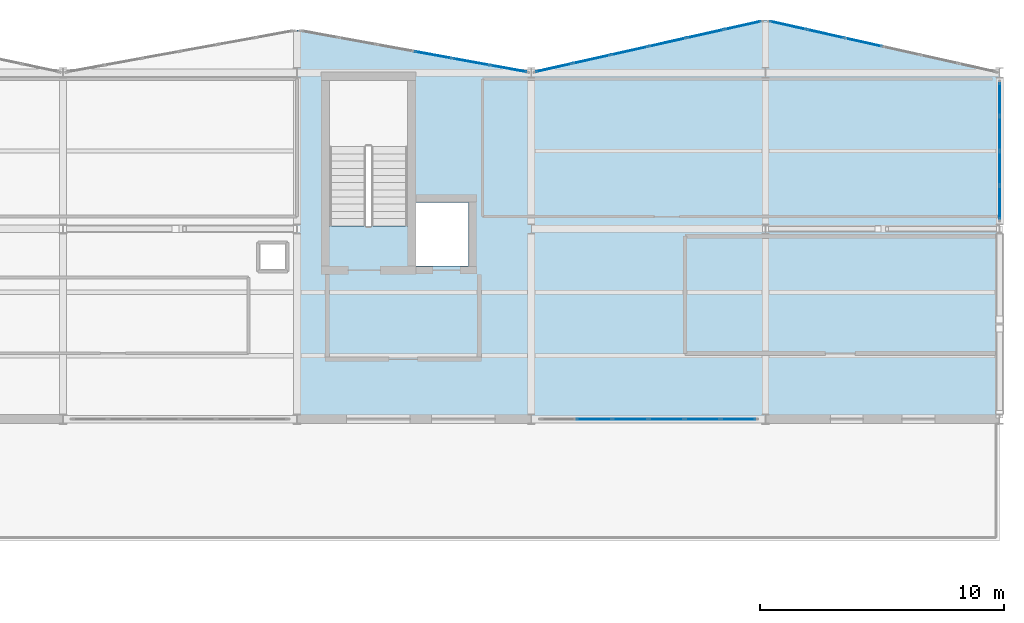
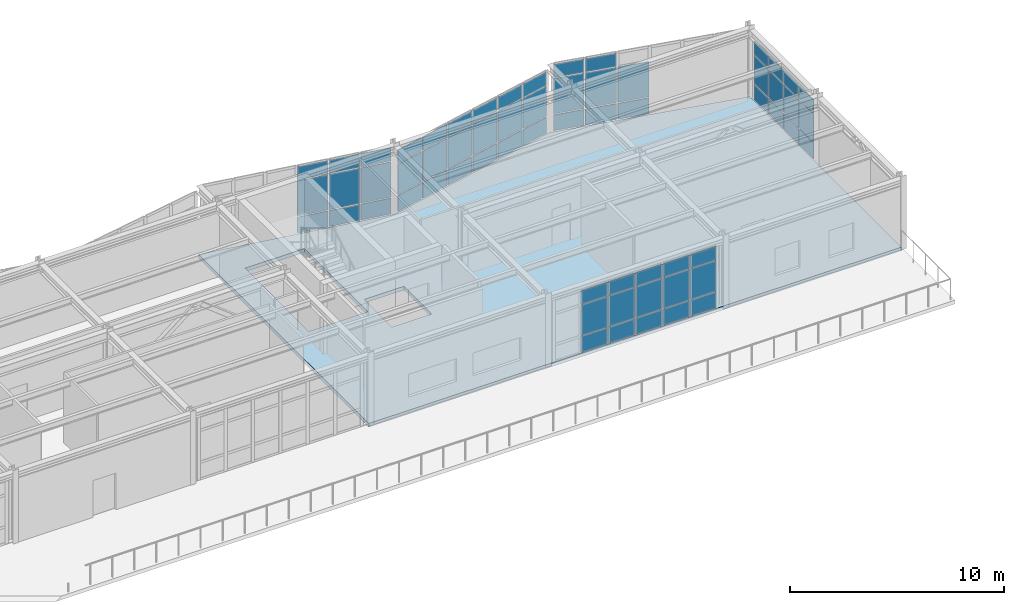
# One storey, part 36 of 47: 62 plates, 1 slab, 5 elements without a shape of their own.
"""IFC4 building model written with IfcOpenShell, lengths in metres."""

from ifc_helpers import new_model, si_unit, direction, frame, origin, origin_2d, place, context, subcontext, project, spatial, polyline, rectangle, outline, extrude, material, layer, layer_set, type_object, element, aggregate, save


model = new_model("IFC4")

# Units and contexts
model_context = context("Model", 3, precision=1e-05, world=origin(), true_north=direction((0.0, 1.0)))
body_context = subcontext(model_context, "Body", "Model", "MODEL_VIEW")
ifc_project = project(units=[si_unit("LENGTHUNIT", "METRE"), si_unit("AREAUNIT", "SQUARE_METRE"), si_unit("VOLUMEUNIT", "CUBIC_METRE"), si_unit("PLANEANGLEUNIT", "RADIAN"), si_unit("MASSUNIT", "GRAM", prefix="KILO")], contexts=[model_context])

# Site, building, storey
site_placement = place(None, origin())
site = spatial("IfcSite", under=ifc_project, at=site_placement, CompositionType="ELEMENT")
building_placement = place(site_placement, origin())
building = spatial("IfcBuilding", under=site, at=building_placement, Name="Nordkorset Police Headquarters", CompositionType="ELEMENT")
storey_placement = place(building_placement, frame((0.0, 0.0, 22.050048828125)))
storey = spatial("IfcBuildingStorey", under=building, at=storey_placement, Name="L05", CompositionType="ELEMENT", Elevation=22.050048828125)

# Curtain wall, plates
ifc_material_1 = material(Name="Aluminium alloy AW-6060", Category="aluminium")
ifc_layer_1 = layer(ifc_material_1, 0.179931640625, Name="Aluminium alloy AW-6060")
ifc_layer_set_1 = layer_set([ifc_layer_1], Name="Aluminium alloy AW-6060")
curtain_wall_type_1 = type_object("IfcCurtainWallType", Name="CW_Unit_948x392", PredefinedType="USERDEFINED", material=ifc_layer_set_1)
curtain_wall_1_placement = place(storey_placement, origin())
curtain_wall_1 = element("IfcCurtainWall", 1, at=curtain_wall_1_placement, inside=storey, type_object=curtain_wall_type_1, Name="Unitised Curtain Wall L05 V2N-3", ObjectType="UNITISED CURTAIN WALL", PredefinedType="USERDEFINED")
ifc_material_2 = material(Name="Low-iron triple glazing", Category="glass")
ifc_layer_2 = layer(ifc_material_2, 0.035888671875, Name="Low-iron triple glazing")
ifc_layer_set_2 = layer_set([ifc_layer_2], Name="Low-iron triple glazing")
plate_type = type_object("IfcPlateType", Name="CW_Panel_TripleGlazing_36", PredefinedType="CURTAIN_PANEL", material=ifc_layer_set_2)
plate_1_placement = place(storey_placement, frame((63.177001953125, 117.533447265625, 0.06494140625), z_axis=(0.0, 0.0, 1.0), x_axis=(0.983787934979, -0.179335715876, 0.0)))
plate_1 = element("IfcPlate", 2, at=plate_1_placement, type_object=plate_type, Name="CW-65 panel 4.1", PredefinedType="CURTAIN_PANEL", context=body_context, shape_type="SweptSolid", body=[
    extrude(rectangle(XDim=1.5146484375, YDim=0.035888671875, at=origin_2d()), origin(), (0.0, 0.0, 1.0), 0.902587890625),
])
plate_2_placement = place(storey_placement, frame((63.177001953125, 117.533447265625, 1.032470703125), z_axis=(0.0, 0.0, 1.0), x_axis=(0.983787934979, -0.179335715876, 0.0)))
plate_2 = element("IfcPlate", 3, at=plate_2_placement, type_object=plate_type, Name="CW-65 panel 4.2", PredefinedType="CURTAIN_PANEL", context=body_context, shape_type="SweptSolid", body=[
    extrude(rectangle(XDim=1.5146484375, YDim=0.035888671875, at=origin_2d()), origin(), (0.0, 0.0, 1.0), 2.0048828125),
])
plate_3_placement = place(storey_placement, frame((63.177001953125, 117.533447265625, 3.1025390625), z_axis=(0.0, 0.0, 1.0), x_axis=(0.983787934979, -0.179335715876, 0.0)))
plate_3 = element("IfcPlate", 4, at=plate_3_placement, type_object=plate_type, Name="CW-65 panel 4.3", PredefinedType="CURTAIN_PANEL", context=body_context, shape_type="SweptSolid", body=[
    extrude(rectangle(XDim=1.5146484375, YDim=0.035888671875, at=origin_2d()), origin(), (0.0, 0.0, 1.0), 0.75244140625),
])
plate_4_placement = place(storey_placement, frame((64.731201171875, 117.25, 0.06494140625), z_axis=(0.0, 0.0, 1.0), x_axis=(0.983787934979, -0.179335715876, 0.0)))
plate_4 = element("IfcPlate", 5, at=plate_4_placement, type_object=plate_type, Name="CW-65 panel 5.1", PredefinedType="CURTAIN_PANEL", context=body_context, shape_type="SweptSolid", body=[
    extrude(rectangle(XDim=1.5146484375, YDim=0.035888671875, at=origin_2d()), origin(), (0.0, 0.0, 1.0), 0.902587890625),
])
plate_5_placement = place(storey_placement, frame((64.731201171875, 117.25, 1.032470703125), z_axis=(0.0, 0.0, 1.0), x_axis=(0.983787934979, -0.179335715876, 0.0)))
plate_5 = element("IfcPlate", 6, at=plate_5_placement, type_object=plate_type, Name="CW-65 panel 5.2", PredefinedType="CURTAIN_PANEL", context=body_context, shape_type="SweptSolid", body=[
    extrude(rectangle(XDim=1.5146484375, YDim=0.035888671875, at=origin_2d()), origin(), (0.0, 0.0, 1.0), 2.0048828125),
])
plate_6_placement = place(storey_placement, frame((64.731201171875, 117.25, 3.1025390625), z_axis=(0.0, 0.0, 1.0), x_axis=(0.983787934979, -0.179335715876, 0.0)))
plate_6 = element("IfcPlate", 7, at=plate_6_placement, type_object=plate_type, Name="CW-65 panel 5.3", PredefinedType="CURTAIN_PANEL", context=body_context, shape_type="SweptSolid", body=[
    extrude(rectangle(XDim=1.5146484375, YDim=0.035888671875, at=origin_2d()), origin(), (0.0, 0.0, 1.0), 0.75244140625),
])
plate_7_placement = place(storey_placement, frame((66.269287109375, 116.9697265625, 0.06494140625), z_axis=(0.0, 0.0, 1.0), x_axis=(0.983787934979, -0.179335715876, 0.0)))
plate_7 = element("IfcPlate", 8, at=plate_7_placement, type_object=plate_type, Name="CW-65 panel 6.1", PredefinedType="CURTAIN_PANEL", context=body_context, shape_type="SweptSolid", body=[
    extrude(rectangle(XDim=1.482177734375, YDim=0.035888671875, at=origin_2d()), origin(), (0.0, 0.0, 1.0), 0.902587890625),
])
plate_8_placement = place(storey_placement, frame((66.269287109375, 116.9697265625, 1.032470703125), z_axis=(0.0, 0.0, 1.0), x_axis=(0.983787934979, -0.179335715876, 0.0)))
plate_8 = element("IfcPlate", 9, at=plate_8_placement, type_object=plate_type, Name="CW-65 panel 6.2", PredefinedType="CURTAIN_PANEL", context=body_context, shape_type="SweptSolid", body=[
    extrude(rectangle(XDim=1.482177734375, YDim=0.035888671875, at=origin_2d()), origin(), (0.0, 0.0, 1.0), 2.0048828125),
])
plate_9_placement = place(storey_placement, frame((66.269287109375, 116.9697265625, 3.1025390625), z_axis=(0.0, 0.0, 1.0), x_axis=(0.983787934979, -0.179335715876, 0.0)))
plate_9 = element("IfcPlate", 10, at=plate_9_placement, type_object=plate_type, Name="CW-65 panel 6.3", PredefinedType="CURTAIN_PANEL", context=body_context, shape_type="SweptSolid", body=[
    extrude(rectangle(XDim=1.482177734375, YDim=0.035888671875, at=origin_2d()), origin(), (0.0, 0.0, 1.0), 0.75244140625),
])
aggregate(curtain_wall_1, [plate_1, plate_2, plate_3, plate_4, plate_5, plate_6, plate_7, plate_8, plate_9])

ifc_material_3 = material(Name="Aluminium alloy AW-6060", Category="aluminium")
ifc_layer_3 = layer(ifc_material_3, 0.179931640625, Name="Aluminium alloy AW-6060")
ifc_layer_set_3 = layer_set([ifc_layer_3], Name="Aluminium alloy AW-6060")
curtain_wall_type_2 = type_object("IfcCurtainWallType", Name="CW_Unit_956x364", PredefinedType="USERDEFINED", material=ifc_layer_set_3)
curtain_wall_2_placement = place(storey_placement, origin())
curtain_wall_2 = element("IfcCurtainWall", 11, at=curtain_wall_2_placement, inside=storey, type_object=curtain_wall_type_2, Name="Unitised Curtain Wall L05 V2N-4", ObjectType="UNITISED CURTAIN WALL", PredefinedType="USERDEFINED")
plate_10_placement = place(storey_placement, frame((68.129638671875, 117.00830078125, 0.06494140625), z_axis=(0.0, 0.0, 1.0), x_axis=(0.975827090814, 0.218544020358, 0.0)))
plate_10 = element("IfcPlate", 12, at=plate_10_placement, type_object=plate_type, Name="CW-36 panel 1.1", PredefinedType="CURTAIN_PANEL", context=body_context, shape_type="SweptSolid", body=[
    extrude(rectangle(XDim=1.495361328125, YDim=0.035888671875, at=origin_2d()), origin(), (0.0, 0.0, 1.0), 0.902587890625),
])
plate_11_placement = place(storey_placement, frame((68.129638671875, 117.00830078125, 1.0322265625), z_axis=(0.0, 0.0, 1.0), x_axis=(0.975827090814, 0.218544020358, 0.0)))
plate_11 = element("IfcPlate", 13, at=plate_11_placement, type_object=plate_type, Name="CW-36 panel 1.2", PredefinedType="CURTAIN_PANEL", context=body_context, shape_type="SweptSolid", body=[
    extrude(rectangle(XDim=1.495361328125, YDim=0.035888671875, at=origin_2d()), origin(), (0.0, 0.0, 1.0), 1.719970703125),
])
plate_12_placement = place(storey_placement, frame((68.129638671875, 117.00830078125, 2.8173828125), z_axis=(0.0, 0.0, 1.0), x_axis=(0.975827090814, 0.218544020358, 0.0)))
plate_12 = element("IfcPlate", 14, at=plate_12_placement, type_object=plate_type, Name="CW-36 panel 1.3", PredefinedType="CURTAIN_PANEL", context=body_context, shape_type="SweptSolid", body=[
    extrude(rectangle(XDim=1.495361328125, YDim=0.035888671875, at=origin_2d()), origin(), (0.0, 0.0, 1.0), 0.75244140625),
])
plate_13_placement = place(storey_placement, frame((69.668212890625, 117.352783203125, 0.06494140625), z_axis=(0.0, 0.0, 1.0), x_axis=(0.975827090814, 0.218544020358, 0.0)))
plate_13 = element("IfcPlate", 15, at=plate_13_placement, type_object=plate_type, Name="CW-36 panel 2.1", PredefinedType="CURTAIN_PANEL", context=body_context, shape_type="SweptSolid", body=[
    extrude(rectangle(XDim=1.528076171875, YDim=0.035888671875, at=origin_2d()), origin(), (0.0, 0.0, 1.0), 0.902587890625),
])
plate_14_placement = place(storey_placement, frame((69.668212890625, 117.352783203125, 1.0322265625), z_axis=(0.0, 0.0, 1.0), x_axis=(0.975827090814, 0.218544020358, 0.0)))
plate_14 = element("IfcPlate", 16, at=plate_14_placement, type_object=plate_type, Name="CW-36 panel 2.2", PredefinedType="CURTAIN_PANEL", context=body_context, shape_type="SweptSolid", body=[
    extrude(rectangle(XDim=1.528076171875, YDim=0.035888671875, at=origin_2d()), origin(), (0.0, 0.0, 1.0), 1.719970703125),
])
plate_15_placement = place(storey_placement, frame((69.668212890625, 117.352783203125, 2.8173828125), z_axis=(0.0, 0.0, 1.0), x_axis=(0.975827090814, 0.218544020358, 0.0)))
plate_15 = element("IfcPlate", 17, at=plate_15_placement, type_object=plate_type, Name="CW-36 panel 2.3", PredefinedType="CURTAIN_PANEL", context=body_context, shape_type="SweptSolid", body=[
    extrude(rectangle(XDim=1.528076171875, YDim=0.035888671875, at=origin_2d()), origin(), (0.0, 0.0, 1.0), 0.75244140625),
])
plate_16_placement = place(storey_placement, frame((71.22265625, 117.700927734375, 0.06494140625), z_axis=(0.0, 0.0, 1.0), x_axis=(0.975827090814, 0.218544020358, 0.0)))
plate_16 = element("IfcPlate", 18, at=plate_16_placement, type_object=plate_type, Name="CW-36 panel 3.1", PredefinedType="CURTAIN_PANEL", context=body_context, shape_type="SweptSolid", body=[
    extrude(rectangle(XDim=1.528076171875, YDim=0.035888671875, at=origin_2d()), origin(), (0.0, 0.0, 1.0), 0.902587890625),
])
plate_17_placement = place(storey_placement, frame((71.22265625, 117.700927734375, 1.0322265625), z_axis=(0.0, 0.0, 1.0), x_axis=(0.975827090814, 0.218544020358, 0.0)))
plate_17 = element("IfcPlate", 19, at=plate_17_placement, type_object=plate_type, Name="CW-36 panel 3.2", PredefinedType="CURTAIN_PANEL", context=body_context, shape_type="SweptSolid", body=[
    extrude(rectangle(XDim=1.528076171875, YDim=0.035888671875, at=origin_2d()), origin(), (0.0, 0.0, 1.0), 1.719970703125),
])
plate_18_placement = place(storey_placement, frame((71.22265625, 117.700927734375, 2.8173828125), z_axis=(0.0, 0.0, 1.0), x_axis=(0.975827090814, 0.218544020358, 0.0)))
plate_18 = element("IfcPlate", 20, at=plate_18_placement, type_object=plate_type, Name="CW-36 panel 3.3", PredefinedType="CURTAIN_PANEL", context=body_context, shape_type="SweptSolid", body=[
    extrude(rectangle(XDim=1.528076171875, YDim=0.035888671875, at=origin_2d()), origin(), (0.0, 0.0, 1.0), 0.75244140625),
])
plate_19_placement = place(storey_placement, frame((72.77734375, 118.049072265625, 0.06494140625), z_axis=(0.0, 0.0, 1.0), x_axis=(0.975827090814, 0.218544020358, 0.0)))
plate_19 = element("IfcPlate", 21, at=plate_19_placement, type_object=plate_type, Name="CW-36 panel 4.1", PredefinedType="CURTAIN_PANEL", context=body_context, shape_type="SweptSolid", body=[
    extrude(rectangle(XDim=1.528076171875, YDim=0.035888671875, at=origin_2d()), origin(), (0.0, 0.0, 1.0), 0.902587890625),
])
plate_20_placement = place(storey_placement, frame((72.77734375, 118.049072265625, 1.0322265625), z_axis=(0.0, 0.0, 1.0), x_axis=(0.975827090814, 0.218544020358, 0.0)))
plate_20 = element("IfcPlate", 22, at=plate_20_placement, type_object=plate_type, Name="CW-36 panel 4.2", PredefinedType="CURTAIN_PANEL", context=body_context, shape_type="SweptSolid", body=[
    extrude(rectangle(XDim=1.528076171875, YDim=0.035888671875, at=origin_2d()), origin(), (0.0, 0.0, 1.0), 1.719970703125),
])
plate_21_placement = place(storey_placement, frame((72.77734375, 118.049072265625, 2.8173828125), z_axis=(0.0, 0.0, 1.0), x_axis=(0.975827090814, 0.218544020358, 0.0)))
plate_21 = element("IfcPlate", 23, at=plate_21_placement, type_object=plate_type, Name="CW-36 panel 4.3", PredefinedType="CURTAIN_PANEL", context=body_context, shape_type="SweptSolid", body=[
    extrude(rectangle(XDim=1.528076171875, YDim=0.035888671875, at=origin_2d()), origin(), (0.0, 0.0, 1.0), 0.75244140625),
])
plate_22_placement = place(storey_placement, frame((74.331787109375, 118.397216796875, 0.06494140625), z_axis=(0.0, 0.0, 1.0), x_axis=(0.975827090814, 0.218544020358, 0.0)))
plate_22 = element("IfcPlate", 24, at=plate_22_placement, type_object=plate_type, Name="CW-36 panel 5.1", PredefinedType="CURTAIN_PANEL", context=body_context, shape_type="SweptSolid", body=[
    extrude(rectangle(XDim=1.528076171875, YDim=0.035888671875, at=origin_2d()), origin(), (0.0, 0.0, 1.0), 0.902587890625),
])
plate_23_placement = place(storey_placement, frame((74.331787109375, 118.397216796875, 1.0322265625), z_axis=(0.0, 0.0, 1.0), x_axis=(0.975827090814, 0.218544020358, 0.0)))
plate_23 = element("IfcPlate", 25, at=plate_23_placement, type_object=plate_type, Name="CW-36 panel 5.2", PredefinedType="CURTAIN_PANEL", context=body_context, shape_type="SweptSolid", body=[
    extrude(rectangle(XDim=1.528076171875, YDim=0.035888671875, at=origin_2d()), origin(), (0.0, 0.0, 1.0), 1.719970703125),
])
plate_24_placement = place(storey_placement, frame((74.331787109375, 118.397216796875, 2.8173828125), z_axis=(0.0, 0.0, 1.0), x_axis=(0.975827090814, 0.218544020358, 0.0)))
plate_24 = element("IfcPlate", 26, at=plate_24_placement, type_object=plate_type, Name="CW-36 panel 5.3", PredefinedType="CURTAIN_PANEL", context=body_context, shape_type="SweptSolid", body=[
    extrude(rectangle(XDim=1.528076171875, YDim=0.035888671875, at=origin_2d()), origin(), (0.0, 0.0, 1.0), 0.75244140625),
])
plate_25_placement = place(storey_placement, frame((75.870361328125, 118.74169921875, 0.06494140625), z_axis=(0.0, 0.0, 1.0), x_axis=(0.975827090814, 0.218544020358, 0.0)))
plate_25 = element("IfcPlate", 27, at=plate_25_placement, type_object=plate_type, Name="CW-36 panel 6.1", PredefinedType="CURTAIN_PANEL", context=body_context, shape_type="SweptSolid", body=[
    extrude(rectangle(XDim=1.495361328125, YDim=0.035888671875, at=origin_2d()), origin(), (0.0, 0.0, 1.0), 0.902587890625),
])
plate_26_placement = place(storey_placement, frame((75.870361328125, 118.74169921875, 1.0322265625), z_axis=(0.0, 0.0, 1.0), x_axis=(0.975827090814, 0.218544020358, 0.0)))
plate_26 = element("IfcPlate", 28, at=plate_26_placement, type_object=plate_type, Name="CW-36 panel 6.2", PredefinedType="CURTAIN_PANEL", context=body_context, shape_type="SweptSolid", body=[
    extrude(rectangle(XDim=1.495361328125, YDim=0.035888671875, at=origin_2d()), origin(), (0.0, 0.0, 1.0), 1.719970703125),
])
plate_27_placement = place(storey_placement, frame((75.870361328125, 118.74169921875, 2.8173828125), z_axis=(0.0, 0.0, 1.0), x_axis=(0.975827090814, 0.218544020358, 0.0)))
plate_27 = element("IfcPlate", 29, at=plate_27_placement, type_object=plate_type, Name="CW-36 panel 6.3", PredefinedType="CURTAIN_PANEL", context=body_context, shape_type="SweptSolid", body=[
    extrude(rectangle(XDim=1.495361328125, YDim=0.035888671875, at=origin_2d()), origin(), (0.0, 0.0, 1.0), 0.75244140625),
])
aggregate(curtain_wall_2, [plate_10, plate_11, plate_12, plate_13, plate_14, plate_15, plate_16, plate_17, plate_18, plate_19, plate_20, plate_21, plate_22, plate_23, plate_24, plate_25, plate_26, plate_27])

ifc_material_4 = material(Name="Aluminium alloy AW-6060", Category="aluminium")
ifc_layer_4 = layer(ifc_material_4, 0.179931640625, Name="Aluminium alloy AW-6060")
ifc_layer_set_4 = layer_set([ifc_layer_4], Name="Aluminium alloy AW-6060")
curtain_wall_type_3 = type_object("IfcCurtainWallType", Name="CW_Unit_888x364", PredefinedType="USERDEFINED", material=ifc_layer_set_4)
curtain_wall_3_placement = place(storey_placement, origin())
curtain_wall_3 = element("IfcCurtainWall", 30, at=curtain_wall_3_placement, inside=storey, type_object=curtain_wall_type_3, Name="Unitised Curtain Wall L05 V2S-4", ObjectType="UNITISED CURTAIN WALL", PredefinedType="USERDEFINED")
plate_28_placement = place(storey_placement, frame((69.780029296875, 102.60009765625, 0.06494140625), z_axis=(0.0, 0.0, 1.0), x_axis=(1.0, 0.0, 0.0)))
plate_28 = element("IfcPlate", 31, at=plate_28_placement, type_object=plate_type, Name="CW-53 panel 2.1", PredefinedType="CURTAIN_PANEL", context=body_context, shape_type="SweptSolid", body=[
    extrude(rectangle(XDim=1.4150390625, YDim=0.035888671875, at=origin_2d()), origin(), (0.0, 0.0, 1.0), 0.902587890625),
])
plate_29_placement = place(storey_placement, frame((69.780029296875, 102.60009765625, 1.0322265625), z_axis=(0.0, 0.0, 1.0), x_axis=(1.0, 0.0, 0.0)))
plate_29 = element("IfcPlate", 32, at=plate_29_placement, type_object=plate_type, Name="CW-53 panel 2.2", PredefinedType="CURTAIN_PANEL", context=body_context, shape_type="SweptSolid", body=[
    extrude(rectangle(XDim=1.4150390625, YDim=0.035888671875, at=origin_2d()), origin(), (0.0, 0.0, 1.0), 1.719970703125),
])
plate_30_placement = place(storey_placement, frame((69.780029296875, 102.60009765625, 2.8173828125), z_axis=(0.0, 0.0, 1.0), x_axis=(1.0, 0.0, 0.0)))
plate_30 = element("IfcPlate", 33, at=plate_30_placement, type_object=plate_type, Name="CW-53 panel 2.3", PredefinedType="CURTAIN_PANEL", context=body_context, shape_type="SweptSolid", body=[
    extrude(rectangle(XDim=1.4150390625, YDim=0.035888671875, at=origin_2d()), origin(), (0.0, 0.0, 1.0), 0.75244140625),
])
plate_31_placement = place(storey_placement, frame((71.260009765625, 102.60009765625, 0.06494140625), z_axis=(0.0, 0.0, 1.0), x_axis=(1.0, 0.0, 0.0)))
plate_31 = element("IfcPlate", 34, at=plate_31_placement, type_object=plate_type, Name="CW-53 panel 3.1", PredefinedType="CURTAIN_PANEL", context=body_context, shape_type="SweptSolid", body=[
    extrude(rectangle(XDim=1.4150390625, YDim=0.035888671875, at=origin_2d()), origin(), (0.0, 0.0, 1.0), 0.902587890625),
])
plate_32_placement = place(storey_placement, frame((71.260009765625, 102.60009765625, 1.0322265625), z_axis=(0.0, 0.0, 1.0), x_axis=(1.0, 0.0, 0.0)))
plate_32 = element("IfcPlate", 35, at=plate_32_placement, type_object=plate_type, Name="CW-53 panel 3.2", PredefinedType="CURTAIN_PANEL", context=body_context, shape_type="SweptSolid", body=[
    extrude(rectangle(XDim=1.4150390625, YDim=0.035888671875, at=origin_2d()), origin(), (0.0, 0.0, 1.0), 1.719970703125),
])
plate_33_placement = place(storey_placement, frame((71.260009765625, 102.60009765625, 2.8173828125), z_axis=(0.0, 0.0, 1.0), x_axis=(1.0, 0.0, 0.0)))
plate_33 = element("IfcPlate", 36, at=plate_33_placement, type_object=plate_type, Name="CW-53 panel 3.3", PredefinedType="CURTAIN_PANEL", context=body_context, shape_type="SweptSolid", body=[
    extrude(rectangle(XDim=1.4150390625, YDim=0.035888671875, at=origin_2d()), origin(), (0.0, 0.0, 1.0), 0.75244140625),
])
plate_34_placement = place(storey_placement, frame((72.739990234375, 102.60009765625, 0.06494140625), z_axis=(0.0, 0.0, 1.0), x_axis=(1.0, 0.0, 0.0)))
plate_34 = element("IfcPlate", 37, at=plate_34_placement, type_object=plate_type, Name="CW-53 panel 4.1", PredefinedType="CURTAIN_PANEL", context=body_context, shape_type="SweptSolid", body=[
    extrude(rectangle(XDim=1.4150390625, YDim=0.035888671875, at=origin_2d()), origin(), (0.0, 0.0, 1.0), 0.902587890625),
])
plate_35_placement = place(storey_placement, frame((72.739990234375, 102.60009765625, 1.0322265625), z_axis=(0.0, 0.0, 1.0), x_axis=(1.0, 0.0, 0.0)))
plate_35 = element("IfcPlate", 38, at=plate_35_placement, type_object=plate_type, Name="CW-53 panel 4.2", PredefinedType="CURTAIN_PANEL", context=body_context, shape_type="SweptSolid", body=[
    extrude(rectangle(XDim=1.4150390625, YDim=0.035888671875, at=origin_2d()), origin(), (0.0, 0.0, 1.0), 1.719970703125),
])
plate_36_placement = place(storey_placement, frame((72.739990234375, 102.60009765625, 2.8173828125), z_axis=(0.0, 0.0, 1.0), x_axis=(1.0, 0.0, 0.0)))
plate_36 = element("IfcPlate", 39, at=plate_36_placement, type_object=plate_type, Name="CW-53 panel 4.3", PredefinedType="CURTAIN_PANEL", context=body_context, shape_type="SweptSolid", body=[
    extrude(rectangle(XDim=1.4150390625, YDim=0.035888671875, at=origin_2d()), origin(), (0.0, 0.0, 1.0), 0.75244140625),
])
plate_37_placement = place(storey_placement, frame((74.219970703125, 102.60009765625, 0.06494140625), z_axis=(0.0, 0.0, 1.0), x_axis=(1.0, 0.0, 0.0)))
plate_37 = element("IfcPlate", 40, at=plate_37_placement, type_object=plate_type, Name="CW-53 panel 5.1", PredefinedType="CURTAIN_PANEL", context=body_context, shape_type="SweptSolid", body=[
    extrude(rectangle(XDim=1.4150390625, YDim=0.035888671875, at=origin_2d()), origin(), (0.0, 0.0, 1.0), 0.902587890625),
])
plate_38_placement = place(storey_placement, frame((74.219970703125, 102.60009765625, 1.0322265625), z_axis=(0.0, 0.0, 1.0), x_axis=(1.0, 0.0, 0.0)))
plate_38 = element("IfcPlate", 41, at=plate_38_placement, type_object=plate_type, Name="CW-53 panel 5.2", PredefinedType="CURTAIN_PANEL", context=body_context, shape_type="SweptSolid", body=[
    extrude(rectangle(XDim=1.4150390625, YDim=0.035888671875, at=origin_2d()), origin(), (0.0, 0.0, 1.0), 1.719970703125),
])
plate_39_placement = place(storey_placement, frame((74.219970703125, 102.60009765625, 2.8173828125), z_axis=(0.0, 0.0, 1.0), x_axis=(1.0, 0.0, 0.0)))
plate_39 = element("IfcPlate", 42, at=plate_39_placement, type_object=plate_type, Name="CW-53 panel 5.3", PredefinedType="CURTAIN_PANEL", context=body_context, shape_type="SweptSolid", body=[
    extrude(rectangle(XDim=1.4150390625, YDim=0.035888671875, at=origin_2d()), origin(), (0.0, 0.0, 1.0), 0.75244140625),
])
plate_40_placement = place(storey_placement, frame((75.683837890625, 102.60009765625, 0.06494140625), z_axis=(0.0, 0.0, 1.0), x_axis=(1.0, 0.0, 0.0)))
plate_40 = element("IfcPlate", 43, at=plate_40_placement, type_object=plate_type, Name="CW-53 panel 6.1", PredefinedType="CURTAIN_PANEL", context=body_context, shape_type="SweptSolid", body=[
    extrude(rectangle(XDim=1.382568359375, YDim=0.035888671875, at=origin_2d()), origin(), (0.0, 0.0, 1.0), 0.902587890625),
])
plate_41_placement = place(storey_placement, frame((75.683837890625, 102.60009765625, 1.0322265625), z_axis=(0.0, 0.0, 1.0), x_axis=(1.0, 0.0, 0.0)))
plate_41 = element("IfcPlate", 44, at=plate_41_placement, type_object=plate_type, Name="CW-53 panel 6.2", PredefinedType="CURTAIN_PANEL", context=body_context, shape_type="SweptSolid", body=[
    extrude(rectangle(XDim=1.382568359375, YDim=0.035888671875, at=origin_2d()), origin(), (0.0, 0.0, 1.0), 1.719970703125),
])
plate_42_placement = place(storey_placement, frame((75.683837890625, 102.60009765625, 2.8173828125), z_axis=(0.0, 0.0, 1.0), x_axis=(1.0, 0.0, 0.0)))
plate_42 = element("IfcPlate", 45, at=plate_42_placement, type_object=plate_type, Name="CW-53 panel 6.3", PredefinedType="CURTAIN_PANEL", context=body_context, shape_type="SweptSolid", body=[
    extrude(rectangle(XDim=1.382568359375, YDim=0.035888671875, at=origin_2d()), origin(), (0.0, 0.0, 1.0), 0.75244140625),
])
aggregate(curtain_wall_3, [plate_28, plate_29, plate_30, plate_31, plate_32, plate_33, plate_34, plate_35, plate_36, plate_37, plate_38, plate_39, plate_40, plate_41, plate_42])

ifc_material_5 = material(Name="Aluminium alloy AW-6060", Category="aluminium")
ifc_layer_5 = layer(ifc_material_5, 0.179931640625, Name="Aluminium alloy AW-6060")
ifc_layer_set_5 = layer_set([ifc_layer_5], Name="Aluminium alloy AW-6060")
curtain_wall_type_4 = type_object("IfcCurtainWallType", Name="CW_Unit_956x392", PredefinedType="USERDEFINED", material=ifc_layer_set_5)
curtain_wall_4_placement = place(storey_placement, origin())
curtain_wall_4 = element("IfcCurtainWall", 46, at=curtain_wall_4_placement, inside=storey, type_object=curtain_wall_type_4, Name="Unitised Curtain Wall L05 V2N-5", ObjectType="UNITISED CURTAIN WALL", PredefinedType="USERDEFINED")
plate_43_placement = place(storey_placement, frame((77.729736328125, 118.74169921875, 0.06494140625), z_axis=(0.0, 0.0, 1.0), x_axis=(0.975827090814, -0.218544020358, 0.0)))
plate_43 = element("IfcPlate", 47, at=plate_43_placement, type_object=plate_type, Name="CW-41 panel 1.1", PredefinedType="CURTAIN_PANEL", context=body_context, shape_type="SweptSolid", body=[
    extrude(rectangle(XDim=1.495361328125, YDim=0.035888671875, at=origin_2d()), origin(), (0.0, 0.0, 1.0), 0.902587890625),
])
plate_44_placement = place(storey_placement, frame((77.729736328125, 118.74169921875, 1.032470703125), z_axis=(0.0, 0.0, 1.0), x_axis=(0.975827090814, -0.218544020358, 0.0)))
plate_44 = element("IfcPlate", 48, at=plate_44_placement, type_object=plate_type, Name="CW-41 panel 1.2", PredefinedType="CURTAIN_PANEL", context=body_context, shape_type="SweptSolid", body=[
    extrude(rectangle(XDim=1.495361328125, YDim=0.035888671875, at=origin_2d()), origin(), (0.0, 0.0, 1.0), 2.0048828125),
])
plate_45_placement = place(storey_placement, frame((77.729736328125, 118.74169921875, 3.1025390625), z_axis=(0.0, 0.0, 1.0), x_axis=(0.975827090814, -0.218544020358, 0.0)))
plate_45 = element("IfcPlate", 49, at=plate_45_placement, type_object=plate_type, Name="CW-41 panel 1.3", PredefinedType="CURTAIN_PANEL", context=body_context, shape_type="SweptSolid", body=[
    extrude(rectangle(XDim=1.495361328125, YDim=0.035888671875, at=origin_2d()), origin(), (0.0, 0.0, 1.0), 0.75244140625),
])
plate_46_placement = place(storey_placement, frame((79.268310546875, 118.397216796875, 0.06494140625), z_axis=(0.0, 0.0, 1.0), x_axis=(0.975827090814, -0.218544020358, 0.0)))
plate_46 = element("IfcPlate", 50, at=plate_46_placement, type_object=plate_type, Name="CW-41 panel 2.1", PredefinedType="CURTAIN_PANEL", context=body_context, shape_type="SweptSolid", body=[
    extrude(rectangle(XDim=1.528076171875, YDim=0.035888671875, at=origin_2d()), origin(), (0.0, 0.0, 1.0), 0.902587890625),
])
plate_47_placement = place(storey_placement, frame((79.268310546875, 118.397216796875, 1.032470703125), z_axis=(0.0, 0.0, 1.0), x_axis=(0.975827090814, -0.218544020358, 0.0)))
plate_47 = element("IfcPlate", 51, at=plate_47_placement, type_object=plate_type, Name="CW-41 panel 2.2", PredefinedType="CURTAIN_PANEL", context=body_context, shape_type="SweptSolid", body=[
    extrude(rectangle(XDim=1.528076171875, YDim=0.035888671875, at=origin_2d()), origin(), (0.0, 0.0, 1.0), 2.0048828125),
])
plate_48_placement = place(storey_placement, frame((79.268310546875, 118.397216796875, 3.1025390625), z_axis=(0.0, 0.0, 1.0), x_axis=(0.975827090814, -0.218544020358, 0.0)))
plate_48 = element("IfcPlate", 52, at=plate_48_placement, type_object=plate_type, Name="CW-41 panel 2.3", PredefinedType="CURTAIN_PANEL", context=body_context, shape_type="SweptSolid", body=[
    extrude(rectangle(XDim=1.528076171875, YDim=0.035888671875, at=origin_2d()), origin(), (0.0, 0.0, 1.0), 0.75244140625),
])
plate_49_placement = place(storey_placement, frame((80.82275390625, 118.049072265625, 0.06494140625), z_axis=(0.0, 0.0, 1.0), x_axis=(0.975827090814, -0.218544020358, 0.0)))
plate_49 = element("IfcPlate", 53, at=plate_49_placement, type_object=plate_type, Name="CW-41 panel 3.1", PredefinedType="CURTAIN_PANEL", context=body_context, shape_type="SweptSolid", body=[
    extrude(rectangle(XDim=1.528076171875, YDim=0.035888671875, at=origin_2d()), origin(), (0.0, 0.0, 1.0), 0.902587890625),
])
plate_50_placement = place(storey_placement, frame((80.82275390625, 118.049072265625, 1.032470703125), z_axis=(0.0, 0.0, 1.0), x_axis=(0.975827090814, -0.218544020358, 0.0)))
plate_50 = element("IfcPlate", 54, at=plate_50_placement, type_object=plate_type, Name="CW-41 panel 3.2", PredefinedType="CURTAIN_PANEL", context=body_context, shape_type="SweptSolid", body=[
    extrude(rectangle(XDim=1.528076171875, YDim=0.035888671875, at=origin_2d()), origin(), (0.0, 0.0, 1.0), 2.0048828125),
])
aggregate(curtain_wall_4, [plate_43, plate_44, plate_45, plate_46, plate_47, plate_48, plate_49, plate_50])

ifc_material_6 = material(Name="Aluminium alloy AW-6060", Category="aluminium")
ifc_layer_6 = layer(ifc_material_6, 0.179931640625, Name="Aluminium alloy AW-6060")
ifc_layer_set_6 = layer_set([ifc_layer_6], Name="Aluminium alloy AW-6060")
curtain_wall_type_5 = type_object("IfcCurtainWallType", Name="CW_Unit_568x350", PredefinedType="USERDEFINED", material=ifc_layer_set_6)
curtain_wall_5_placement = place(storey_placement, origin())
curtain_wall_5 = element("IfcCurtainWall", 55, at=curtain_wall_5_placement, inside=storey, type_object=curtain_wall_type_5, Name="Unitised Curtain Wall L05 V2E-1", ObjectType="UNITISED CURTAIN WALL", PredefinedType="USERDEFINED")
plate_51_placement = place(storey_placement, frame((86.39990234375, 111.486328125, 0.06494140625), z_axis=(0.0, 0.0, 1.0), x_axis=(0.0, 1.0, 0.0)))
plate_51 = element("IfcPlate", 56, at=plate_51_placement, type_object=plate_type, Name="CW-23 panel 1.1", PredefinedType="CURTAIN_PANEL", context=body_context, shape_type="SweptSolid", body=[
    extrude(rectangle(XDim=1.322509765625, YDim=0.035888671875, at=origin_2d()), origin(), (0.0, 0.0, 1.0), 0.902587890625),
])
plate_52_placement = place(storey_placement, frame((86.39990234375, 111.486328125, 1.0322265625), z_axis=(0.0, 0.0, 1.0), x_axis=(0.0, 1.0, 0.0)))
plate_52 = element("IfcPlate", 57, at=plate_52_placement, type_object=plate_type, Name="CW-23 panel 1.2", PredefinedType="CURTAIN_PANEL", context=body_context, shape_type="SweptSolid", body=[
    extrude(rectangle(XDim=1.322509765625, YDim=0.035888671875, at=origin_2d()), origin(), (0.0, 0.0, 1.0), 1.590087890625),
])
plate_53_placement = place(storey_placement, frame((86.39990234375, 111.486328125, 2.6875), z_axis=(0.0, 0.0, 1.0), x_axis=(0.0, 1.0, 0.0)))
plate_53 = element("IfcPlate", 58, at=plate_53_placement, type_object=plate_type, Name="CW-23 panel 1.3", PredefinedType="CURTAIN_PANEL", context=body_context, shape_type="SweptSolid", body=[
    extrude(rectangle(XDim=1.322509765625, YDim=0.035888671875, at=origin_2d()), origin(), (0.0, 0.0, 1.0), 0.75244140625),
])
plate_54_placement = place(storey_placement, frame((86.39990234375, 112.889892578125, 0.06494140625), z_axis=(0.0, 0.0, 1.0), x_axis=(0.0, 1.0, 0.0)))
plate_54 = element("IfcPlate", 59, at=plate_54_placement, type_object=plate_type, Name="CW-23 panel 2.1", PredefinedType="CURTAIN_PANEL", context=body_context, shape_type="SweptSolid", body=[
    extrude(rectangle(XDim=1.35498046875, YDim=0.035888671875, at=origin_2d()), origin(), (0.0, 0.0, 1.0), 0.902587890625),
])
plate_55_placement = place(storey_placement, frame((86.39990234375, 112.889892578125, 1.0322265625), z_axis=(0.0, 0.0, 1.0), x_axis=(0.0, 1.0, 0.0)))
plate_55 = element("IfcPlate", 60, at=plate_55_placement, type_object=plate_type, Name="CW-23 panel 2.2", PredefinedType="CURTAIN_PANEL", context=body_context, shape_type="SweptSolid", body=[
    extrude(rectangle(XDim=1.35498046875, YDim=0.035888671875, at=origin_2d()), origin(), (0.0, 0.0, 1.0), 1.590087890625),
])
plate_56_placement = place(storey_placement, frame((86.39990234375, 112.889892578125, 2.6875), z_axis=(0.0, 0.0, 1.0), x_axis=(0.0, 1.0, 0.0)))
plate_56 = element("IfcPlate", 61, at=plate_56_placement, type_object=plate_type, Name="CW-23 panel 2.3", PredefinedType="CURTAIN_PANEL", context=body_context, shape_type="SweptSolid", body=[
    extrude(rectangle(XDim=1.35498046875, YDim=0.035888671875, at=origin_2d()), origin(), (0.0, 0.0, 1.0), 0.75244140625),
])
plate_57_placement = place(storey_placement, frame((86.39990234375, 114.31005859375, 0.06494140625), z_axis=(0.0, 0.0, 1.0), x_axis=(0.0, 1.0, 0.0)))
plate_57 = element("IfcPlate", 62, at=plate_57_placement, type_object=plate_type, Name="CW-23 panel 3.1", PredefinedType="CURTAIN_PANEL", context=body_context, shape_type="SweptSolid", body=[
    extrude(rectangle(XDim=1.35498046875, YDim=0.035888671875, at=origin_2d()), origin(), (0.0, 0.0, 1.0), 0.902587890625),
])
plate_58_placement = place(storey_placement, frame((86.39990234375, 114.31005859375, 1.0322265625), z_axis=(0.0, 0.0, 1.0), x_axis=(0.0, 1.0, 0.0)))
plate_58 = element("IfcPlate", 63, at=plate_58_placement, type_object=plate_type, Name="CW-23 panel 3.2", PredefinedType="CURTAIN_PANEL", context=body_context, shape_type="SweptSolid", body=[
    extrude(rectangle(XDim=1.35498046875, YDim=0.035888671875, at=origin_2d()), origin(), (0.0, 0.0, 1.0), 1.590087890625),
])
plate_59_placement = place(storey_placement, frame((86.39990234375, 114.31005859375, 2.6875), z_axis=(0.0, 0.0, 1.0), x_axis=(0.0, 1.0, 0.0)))
plate_59 = element("IfcPlate", 64, at=plate_59_placement, type_object=plate_type, Name="CW-23 panel 3.3", PredefinedType="CURTAIN_PANEL", context=body_context, shape_type="SweptSolid", body=[
    extrude(rectangle(XDim=1.35498046875, YDim=0.035888671875, at=origin_2d()), origin(), (0.0, 0.0, 1.0), 0.75244140625),
])
plate_60_placement = place(storey_placement, frame((86.39990234375, 115.7138671875, 0.06494140625), z_axis=(0.0, 0.0, 1.0), x_axis=(0.0, 1.0, 0.0)))
plate_60 = element("IfcPlate", 65, at=plate_60_placement, type_object=plate_type, Name="CW-23 panel 4.1", PredefinedType="CURTAIN_PANEL", context=body_context, shape_type="SweptSolid", body=[
    extrude(rectangle(XDim=1.322509765625, YDim=0.035888671875, at=origin_2d()), origin(), (0.0, 0.0, 1.0), 0.902587890625),
])
plate_61_placement = place(storey_placement, frame((86.39990234375, 115.7138671875, 1.0322265625), z_axis=(0.0, 0.0, 1.0), x_axis=(0.0, 1.0, 0.0)))
plate_61 = element("IfcPlate", 66, at=plate_61_placement, type_object=plate_type, Name="CW-23 panel 4.2", PredefinedType="CURTAIN_PANEL", context=body_context, shape_type="SweptSolid", body=[
    extrude(rectangle(XDim=1.322509765625, YDim=0.035888671875, at=origin_2d()), origin(), (0.0, 0.0, 1.0), 1.590087890625),
])
plate_62_placement = place(storey_placement, frame((86.39990234375, 115.7138671875, 2.6875), z_axis=(0.0, 0.0, 1.0), x_axis=(0.0, 1.0, 0.0)))
plate_62 = element("IfcPlate", 67, at=plate_62_placement, type_object=plate_type, Name="CW-23 panel 4.3", PredefinedType="CURTAIN_PANEL", context=body_context, shape_type="SweptSolid", body=[
    extrude(rectangle(XDim=1.322509765625, YDim=0.035888671875, at=origin_2d()), origin(), (0.0, 0.0, 1.0), 0.75244140625),
])
aggregate(curtain_wall_5, [plate_51, plate_52, plate_53, plate_54, plate_55, plate_56, plate_57, plate_58, plate_59, plate_60, plate_61, plate_62])

# Slab
ifc_material_7 = material(Name="Concrete C35/45", Category="concrete")
ifc_layer_7 = layer(ifc_material_7, 0.2099609375, Name="Concrete C35/45")
ifc_layer_set_7 = layer_set([ifc_layer_7], Name="Concrete C35/45")
slab_type = type_object("IfcSlabType", Name="Slab_Office_210", PredefinedType="FLOOR", material=ifc_layer_set_7)
slab_placement = place(storey_placement, frame((0.0, 0.0, -0.2099609375)))
element("IfcSlab", 68, at=slab_placement, inside=storey, type_object=slab_type, Name="Composite Floor Slab V2 East L05", PredefinedType="FLOOR", context=body_context, shape_type="SweptSolid", body=[
    extrude(outline(polyline([(67.199951171875, 116.800048828125), (76.800048828125, 118.949951171875), (86.39990234375, 116.800048828125), (86.39990234375, 102.60009765625), (57.60205078125, 102.60009765625), (57.60205078125, 118.550048828125), (67.199951171875, 116.800048828125)]), holes=[polyline([(58.925048828125, 116.47509765625), (58.925048828125, 110.528076171875), (62.125, 110.528076171875), (62.125, 116.47509765625), (58.925048828125, 116.47509765625)]), polyline([(64.625, 111.47509765625), (62.47509765625, 111.47509765625), (62.47509765625, 108.875), (64.625, 108.875), (64.625, 111.47509765625)])]), origin(), (0.0, 0.0, 1.0), 0.2099609375),
])

save(model, "model.ifc")
